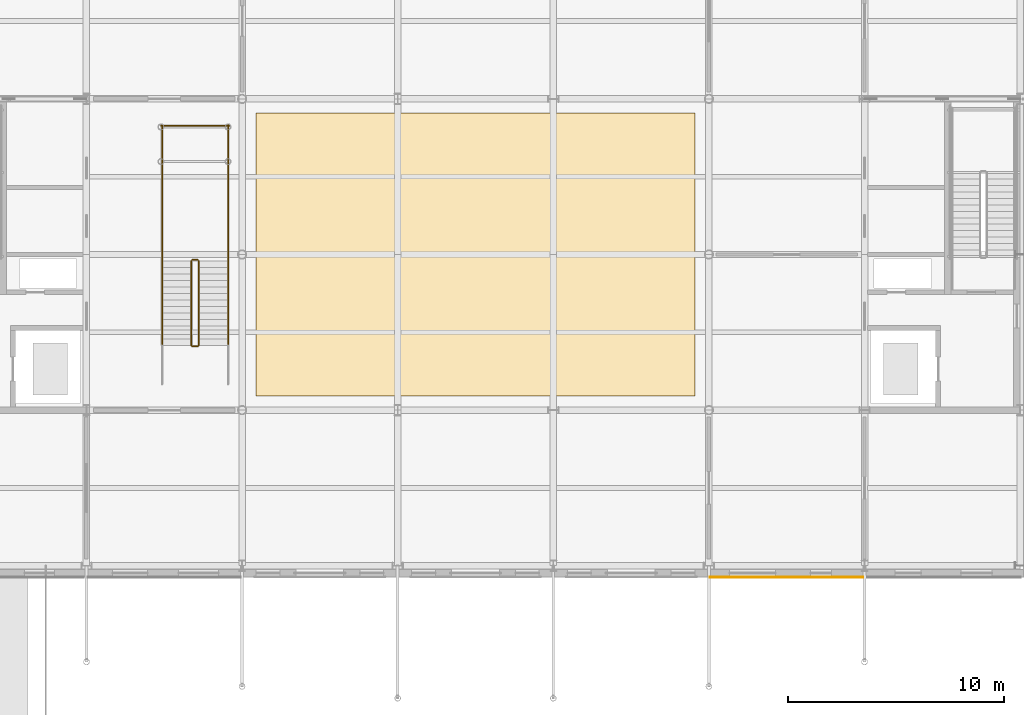
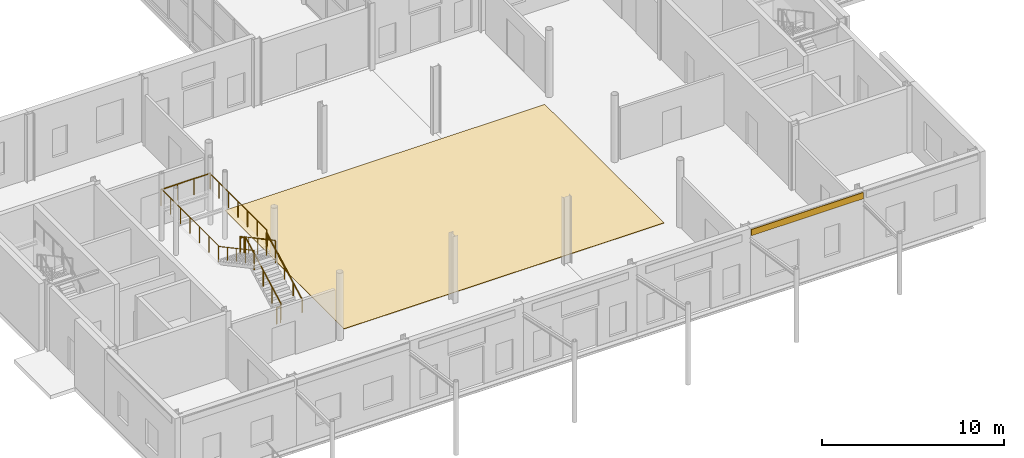
# One storey, part 77 of 92: 9 railings, 2 coverings.
"""IFC4 building model written with IfcOpenShell, lengths in metres."""

from ifc_helpers import new_model, si_unit, direction, frame, origin, origin_2d, place, context, subcontext, project, spatial, polyline, rectangle, circle, outline, extrude, material, layer, layer_set, type_object, element, save


model = new_model("IFC4")

# Units and contexts
model_context = context("Model", 3, precision=1e-05, world=origin(), true_north=direction((0.0, 1.0)))
body_context = subcontext(model_context, "Body", "Model", "MODEL_VIEW")
ifc_project = project(units=[si_unit("LENGTHUNIT", "METRE"), si_unit("AREAUNIT", "SQUARE_METRE"), si_unit("VOLUMEUNIT", "CUBIC_METRE"), si_unit("PLANEANGLEUNIT", "RADIAN"), si_unit("MASSUNIT", "GRAM", prefix="KILO")], contexts=[model_context])

# Site, building, storey
site_placement = place(None, origin())
site = spatial("IfcSite", under=ifc_project, at=site_placement, CompositionType="ELEMENT")
building_placement = place(site_placement, origin())
building = spatial("IfcBuilding", under=site, at=building_placement, Name="Zlatovets Crest Museum", CompositionType="ELEMENT")
storey_placement = place(building_placement, origin())
storey = spatial("IfcBuildingStorey", under=building, at=storey_placement, Name="L00", CompositionType="ELEMENT", Elevation=0.0)

# Covering
ifc_material_1 = material(Name="Honed Vratsa limestone and terrazzo museum floor", Category="masonry")
ifc_layer_1 = layer(ifc_material_1, 0.0400390625)
ifc_layer_set_1 = layer_set([ifc_layer_1], Name="Honed Vratsa limestone and terrazzo museum floor")
covering_type_1 = type_object("IfcCoveringType", Name="AtriumFloor_FLR2", PredefinedType="FLOORING", material=ifc_layer_set_1)
covering_1_placement = place(storey_placement, origin())
element("IfcCovering", 1, at=covering_1_placement, inside=storey, type_object=covering_type_1, Name="Central Public Atrium Floor Finish", PredefinedType="FLOORING", context=body_context, shape_type="SweptSolid", body=[
    extrude(outline(polyline([(72.64990234375, 7.85009765625), (92.949951171875, 7.85009765625), (92.949951171875, 20.949951171875), (72.64990234375, 20.949951171875), (72.64990234375, 7.85009765625)])), origin(), (0.0, 0.0, 1.0), 0.030029296875),
])

# Railings
ifc_material_2 = material(Name="Art Nouveau bronze and laminated glass atrium balustrade", Category="glass")
railing_type_1 = type_object("IfcRailingType", Name="AtriumGuard_AG01", PredefinedType="BALUSTRADE", material=ifc_material_2)
railing_1_placement = place(storey_placement, frame((70.0, 10.199951171875, 0.16064453125)))
element("IfcRailing", 2, at=railing_1_placement, inside=storey, type_object=railing_type_1, Name="L00 ST6 stair guard 1", PredefinedType="BALUSTRADE", context=body_context, shape_type="SweptSolid", body=[
    extrude(circle(Radius=0.02392578125, at=origin_2d()), frame((0.0, 0.0, 1.076171875), z_axis=(0.0, 0.881480790326, 0.47221988129), x_axis=(-1.0, 0.0, 0.0)), (0.0, 0.0, 1.0), 4.424560546875),
    extrude(circle(Radius=0.02099609375, at=origin_2d()), origin(), (0.0, 0.0, 1.0), 1.052001953125),
    extrude(circle(Radius=0.02099609375, at=origin_2d()), frame((0.0, 0.97509765625, 0.5224609375)), (0.0, 0.0, 1.0), 1.052001953125),
    extrude(circle(Radius=0.02099609375, at=origin_2d()), frame((0.0, 1.9501953125, 1.044677734375)), (0.0, 0.0, 1.0), 1.052001953125),
    extrude(circle(Radius=0.02099609375, at=origin_2d()), frame((0.0, 2.925048828125, 1.56689453125)), (0.0, 0.0, 1.0), 1.052001953125),
    extrude(circle(Radius=0.02099609375, at=origin_2d()), frame((0.0, 3.900146484375, 2.08935546875)), (0.0, 0.0, 1.0), 1.052001953125),
])
railing_2_placement = place(storey_placement, frame((69.949951171875, 14.14990234375, 2.25)))
element("IfcRailing", 3, at=railing_2_placement, inside=storey, type_object=railing_type_1, Name="L00 ST6 stair guard 2", PredefinedType="BALUSTRADE", context=body_context, shape_type="SweptSolid", body=[
    extrude(circle(Radius=0.02392578125, at=origin_2d()), frame((0.0, 0.0, 1.076171875), z_axis=(-1.0, 0.0, 0.0), x_axis=(0.0, -1.0, 0.0)), (0.0, 0.0, 1.0), 0.25),
    extrude(circle(Radius=0.02099609375, at=origin_2d()), origin(), (0.0, 0.0, 1.0), 1.052001953125),
    extrude(circle(Radius=0.02099609375, at=origin_2d()), frame((-0.25, 0.0, 0.0)), (0.0, 0.0, 1.0), 1.052001953125),
])
for number, where, name in (
    (4, (71.35009765625, 14.10009765625, 2.25), "L00 ST6 stair guard 3"),
    (5, (68.300048828125, 14.10009765625, 2.25), "L00 ST6 stair guard 4"),
):
    element("IfcRailing", number, at=place(storey_placement, frame(where)), inside=storey, type_object=railing_type_1, Name=name, PredefinedType="BALUSTRADE", context=body_context, shape_type="SweptSolid", body=[
        extrude(circle(Radius=0.02392578125, at=origin_2d()), frame((0.0, 0.0, 1.076171875), z_axis=(0.0, 1.0, 0.0), x_axis=(-1.0, 0.0, 0.0)), (0.0, 0.0, 1.0), 6.2998046875),
        extrude(circle(Radius=0.02099609375, at=origin_2d()), origin(), (0.0, 0.0, 1.0), 1.052001953125),
        extrude(circle(Radius=0.02099609375, at=origin_2d()), frame((0.0, 1.050048828125, 0.0)), (0.0, 0.0, 1.0), 1.052001953125),
        extrude(circle(Radius=0.02099609375, at=origin_2d()), frame((0.0, 2.099853515625, 0.0)), (0.0, 0.0, 1.0), 1.052001953125),
        extrude(circle(Radius=0.02099609375, at=origin_2d()), frame((0.0, 3.14990234375, 0.0)), (0.0, 0.0, 1.0), 1.052001953125),
        extrude(circle(Radius=0.02099609375, at=origin_2d()), frame((0.0, 4.199951171875, 0.0)), (0.0, 0.0, 1.0), 1.052001953125),
        extrude(circle(Radius=0.02099609375, at=origin_2d()), frame((0.0, 5.249755859375, 0.0)), (0.0, 0.0, 1.0), 1.052001953125),
        extrude(circle(Radius=0.02099609375, at=origin_2d()), frame((0.0, 6.2998046875, 0.0)), (0.0, 0.0, 1.0), 1.052001953125),
    ])
railing_3_placement = place(storey_placement, frame((71.39990234375, 20.35009765625, 2.25)))
element("IfcRailing", 6, at=railing_3_placement, inside=storey, type_object=railing_type_1, Name="L00 ST6 stair guard 5", PredefinedType="BALUSTRADE", context=body_context, shape_type="SweptSolid", body=[
    extrude(circle(Radius=0.02392578125, at=origin_2d()), frame((0.0, 0.0, 1.076171875), z_axis=(-1.0, 0.0, 0.0), x_axis=(0.0, -1.0, 0.0)), (0.0, 0.0, 1.0), 3.14990234375),
    extrude(circle(Radius=0.02099609375, at=origin_2d()), origin(), (0.0, 0.0, 1.0), 1.052001953125),
    extrude(circle(Radius=0.02099609375, at=origin_2d()), frame((-1.050048828125, 0.0, 0.0)), (0.0, 0.0, 1.0), 1.052001953125),
    extrude(circle(Radius=0.02099609375, at=origin_2d()), frame((-2.099853515625, 0.0, 0.0)), (0.0, 0.0, 1.0), 1.052001953125),
    extrude(circle(Radius=0.02099609375, at=origin_2d()), frame((-3.14990234375, 0.0, 0.0)), (0.0, 0.0, 1.0), 1.052001953125),
])
railing_4_placement = place(storey_placement, frame((69.64990234375, 14.10009765625, 2.41064453125)))
element("IfcRailing", 7, at=railing_4_placement, inside=storey, type_object=railing_type_1, Name="L00 ST6 stair guard 6", PredefinedType="BALUSTRADE", context=body_context, shape_type="SweptSolid", body=[
    extrude(circle(Radius=0.02392578125, at=origin_2d()), frame((0.0, 0.0, 1.076171875), z_axis=(0.0, -0.881480790326, 0.47221988129), x_axis=(1.0, 0.0, 0.0)), (0.0, 0.0, 1.0), 4.424560546875),
    extrude(circle(Radius=0.02099609375, at=origin_2d()), origin(), (0.0, 0.0, 1.0), 1.052001953125),
    extrude(circle(Radius=0.02099609375, at=origin_2d()), frame((0.0, -0.97509765625, 0.5224609375)), (0.0, 0.0, 1.0), 1.052001953125),
    extrude(circle(Radius=0.02099609375, at=origin_2d()), frame((0.0, -1.9501953125, 1.044677734375)), (0.0, 0.0, 1.0), 1.052001953125),
    extrude(circle(Radius=0.02099609375, at=origin_2d()), frame((0.0, -2.925048828125, 1.56689453125)), (0.0, 0.0, 1.0), 1.052001953125),
    extrude(circle(Radius=0.02099609375, at=origin_2d()), frame((0.0, -3.900146484375, 2.08935546875)), (0.0, 0.0, 1.0), 1.052001953125),
])
railing_5_placement = place(storey_placement, frame((69.949951171875, 10.14990234375, 0.0)))
element("IfcRailing", 8, at=railing_5_placement, inside=storey, type_object=railing_type_1, Name="L00 ST6 stair guard 7", PredefinedType="BALUSTRADE", context=body_context, shape_type="SweptSolid", body=[
    extrude(circle(Radius=0.02392578125, at=origin_2d()), frame((0.0, 0.0, 1.076171875), z_axis=(-1.0, 0.0, 0.0), x_axis=(0.0, -1.0, 0.0)), (0.0, 0.0, 1.0), 0.25),
    extrude(circle(Radius=0.02099609375, at=origin_2d()), origin(), (0.0, 0.0, 1.0), 1.052001953125),
    extrude(circle(Radius=0.02099609375, at=origin_2d()), frame((-0.25, 0.0, 0.0)), (0.0, 0.0, 1.0), 1.052001953125),
])

# Covering
ifc_material_3 = material(Name="Polychrome turquoise-gold glazed majolica ceramic frieze")
ifc_layer_2 = layer(ifc_material_3, 0.0400390625)
ifc_layer_set_2 = layer_set([ifc_layer_2], Name="Polychrome turquoise-gold glazed majolica ceramic frieze")
covering_type_2 = type_object("IfcCoveringType", Name="MajolicaFrieze_CL01", PredefinedType="CLADDING", material=ifc_layer_set_2)
covering_2_placement = place(storey_placement, frame((97.199951171875, -0.530029296875, 4.010009765625), z_axis=(0.0, 0.0, 1.0), x_axis=(1.0, 0.0, 0.0)))
element("IfcCovering", 9, at=covering_2_placement, inside=storey, type_object=covering_type_2, Name="Sofia Secession Majolica Plinth Frieze", PredefinedType="CLADDING", context=body_context, shape_type="SweptSolid", body=[
    extrude(rectangle(XDim=7.10009765625, YDim=0.0400390625, at=origin_2d()), origin(), (0.0, 0.0, 1.0), 0.419921875),
])

# Railings
ifc_material_4 = material(Name="Brushed bronze stair handrail")
railing_type_2 = type_object("IfcRailingType", Name="StairHandrail_SH01", PredefinedType="HANDRAIL", material=ifc_material_4)
railing_6_placement = place(storey_placement, frame((71.35009765625, 10.199951171875, 0.16064453125)))
element("IfcRailing", 10, at=railing_6_placement, inside=storey, type_object=railing_type_2, Name="L00 ST6 stair handrail 1", PredefinedType="HANDRAIL", context=body_context, shape_type="SweptSolid", body=[
    extrude(circle(Radius=0.02392578125, at=origin_2d()), frame((0.0, 0.0, 0.8759765625), z_axis=(0.0, 0.881480790326, 0.47221988129), x_axis=(-1.0, 0.0, 0.0)), (0.0, 0.0, 1.0), 4.424560546875),
    extrude(circle(Radius=0.02099609375, at=origin_2d()), origin(), (0.0, 0.0, 1.0), 0.851806640625),
    extrude(circle(Radius=0.02099609375, at=origin_2d()), frame((0.0, 0.97509765625, 0.5224609375)), (0.0, 0.0, 1.0), 0.851806640625),
    extrude(circle(Radius=0.02099609375, at=origin_2d()), frame((0.0, 1.9501953125, 1.044677734375)), (0.0, 0.0, 1.0), 0.851806640625),
    extrude(circle(Radius=0.02099609375, at=origin_2d()), frame((0.0, 2.925048828125, 1.56689453125)), (0.0, 0.0, 1.0), 0.851806640625),
    extrude(circle(Radius=0.02099609375, at=origin_2d()), frame((0.0, 3.900146484375, 2.08935546875)), (0.0, 0.0, 1.0), 0.851806640625),
])
railing_7_placement = place(storey_placement, frame((68.300048828125, 14.10009765625, 2.41064453125)))
element("IfcRailing", 11, at=railing_7_placement, inside=storey, type_object=railing_type_2, Name="L00 ST6 stair handrail 2", PredefinedType="HANDRAIL", context=body_context, shape_type="SweptSolid", body=[
    extrude(circle(Radius=0.02392578125, at=origin_2d()), frame((0.0, 0.0, 0.8759765625), z_axis=(0.0, -0.881480790326, 0.47221988129), x_axis=(1.0, 0.0, 0.0)), (0.0, 0.0, 1.0), 4.424560546875),
    extrude(circle(Radius=0.02099609375, at=origin_2d()), origin(), (0.0, 0.0, 1.0), 0.851806640625),
    extrude(circle(Radius=0.02099609375, at=origin_2d()), frame((0.0, -0.97509765625, 0.5224609375)), (0.0, 0.0, 1.0), 0.851806640625),
    extrude(circle(Radius=0.02099609375, at=origin_2d()), frame((0.0, -1.9501953125, 1.044677734375)), (0.0, 0.0, 1.0), 0.851806640625),
    extrude(circle(Radius=0.02099609375, at=origin_2d()), frame((0.0, -2.925048828125, 1.56689453125)), (0.0, 0.0, 1.0), 0.851806640625),
    extrude(circle(Radius=0.02099609375, at=origin_2d()), frame((0.0, -3.900146484375, 2.08935546875)), (0.0, 0.0, 1.0), 0.851806640625),
])

save(model, "model.ifc")
